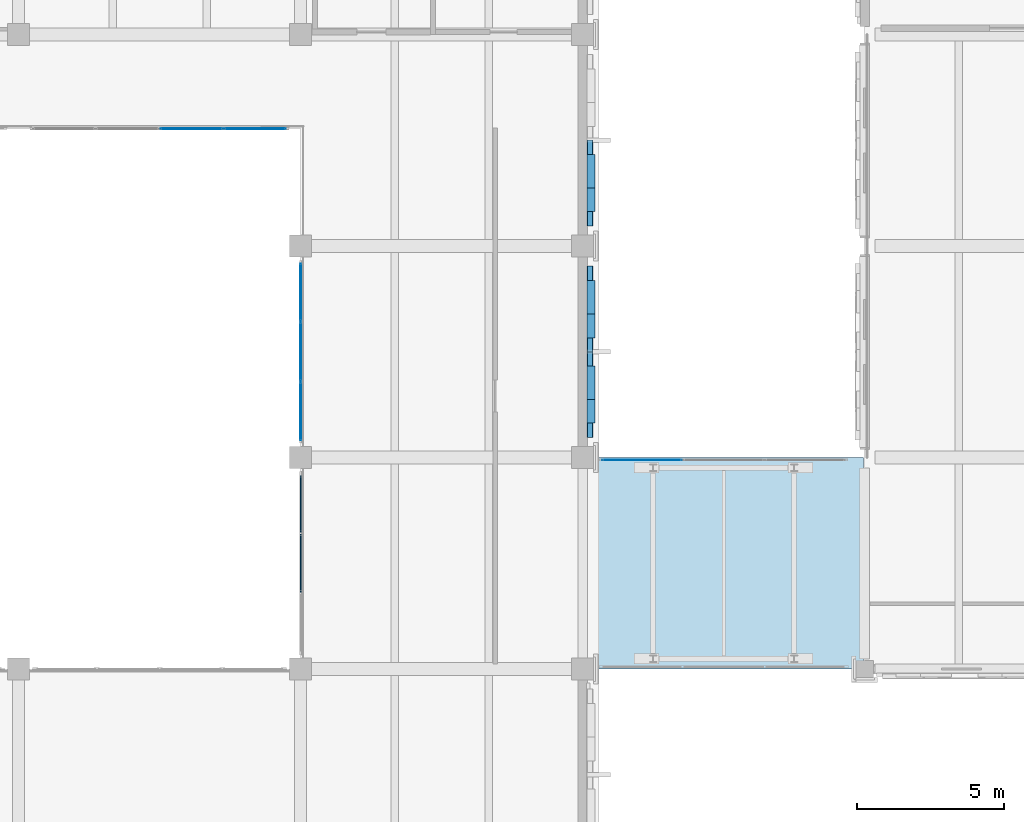
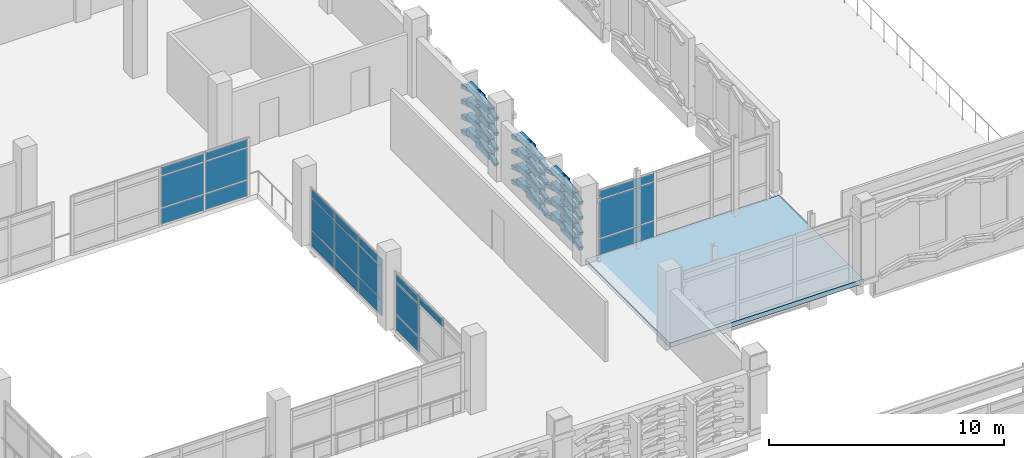
# One storey, part 139 of 180: 70 plates, 1 slab, 4 elements without a shape of their own.
"""IFC4 building model written with IfcOpenShell, lengths in metres."""

from ifc_helpers import new_model, si_unit, direction, frame, origin, origin_2d, place, context, subcontext, project, spatial, polyline, rectangle, hollow_rectangle, outline, extrude, material, layer, layer_set, material_profile, profile_set, type_object, element, aggregate, save


model = new_model("IFC4")

# Units and contexts
model_context = context("Model", 3, precision=1e-05, world=origin(), true_north=direction((0.0, 1.0)))
body_context = subcontext(model_context, "Body", "Model", "MODEL_VIEW")
ifc_project = project(units=[si_unit("LENGTHUNIT", "METRE"), si_unit("AREAUNIT", "SQUARE_METRE"), si_unit("VOLUMEUNIT", "CUBIC_METRE"), si_unit("PLANEANGLEUNIT", "RADIAN"), si_unit("MASSUNIT", "GRAM", prefix="KILO")], contexts=[model_context])

# Site, building, storey
site_placement = place(None, origin())
site = spatial("IfcSite", under=ifc_project, at=site_placement, CompositionType="ELEMENT")
building_placement = place(site_placement, origin())
building = spatial("IfcBuilding", under=site, at=building_placement, Name="Asteropetra Specialist Clinic", CompositionType="ELEMENT")
storey_placement = place(building_placement, frame((0.0, 0.0, 4.419921875)))
storey = spatial("IfcBuildingStorey", under=building, at=storey_placement, Name="L01", CompositionType="ELEMENT", Elevation=4.419921875)

# Plates
ifc_material_1 = material(Name="Chevron emerald aluminium 6063-T6", Category="aluminium")
ifc_material_profile = material_profile(ifc_material_1, hollow_rectangle(XDim=0.199951171875, YDim=0.199951171875, WallThickness=0.010009765625, InnerFilletRadius=0.008056640625, OuterFilletRadius=0.01611328125, at=origin_2d()), Name="SHS 200x200x10.0")
ifc_profile_set = profile_set([ifc_material_profile], Name="Chevron emerald aluminium 6063-T6")
plate_type_1 = type_object("IfcPlateType", Name="CHV-RIB-200", PredefinedType="SHEET", material=ifc_profile_set)
plate_1_placement = place(storey_placement, frame((77.052001953125, 84.715087890625, 0.050048828125), z_axis=(0.0, 0.952491984317, 0.304563654777), x_axis=(-1.0, 0.0, 0.0)))
element("IfcPlate", 1, at=plate_1_placement, inside=storey, type_object=plate_type_1, Name="Chevron Facade Screen Fin CVR-0731", PredefinedType="SHEET", context=body_context, shape_type="SweptSolid", body=[
    extrude(hollow_rectangle(XDim=0.199951171875, YDim=0.199951171875, WallThickness=0.010009765625, InnerFilletRadius=0.008056640625, OuterFilletRadius=0.01611328125, at=origin_2d()), origin(), (0.0, 0.0, 1.0), 1.50390625),
])
plate_2_placement = place(storey_placement, frame((77.052001953125, 86.1474609375, 0.508056640625), z_axis=(0.0, 0.952507040007, -0.304516565619), x_axis=(-1.0, 0.0, 0.0)))
element("IfcPlate", 2, at=plate_2_placement, inside=storey, type_object=plate_type_1, Name="Chevron Facade Screen Fin CVR-0732", PredefinedType="SHEET", context=body_context, shape_type="SweptSolid", body=[
    extrude(hollow_rectangle(XDim=0.199951171875, YDim=0.199951171875, WallThickness=0.010009765625, InnerFilletRadius=0.008056640625, OuterFilletRadius=0.01611328125, at=origin_2d()), origin(), (0.0, 0.0, 1.0), 1.504150390625),
])
plate_3_placement = place(storey_placement, frame((77.052001953125, 84.715087890625, 0.820068359375), z_axis=(0.0, 0.952491984317, 0.304563654777), x_axis=(-1.0, 0.0, 0.0)))
element("IfcPlate", 3, at=plate_3_placement, inside=storey, type_object=plate_type_1, Name="Chevron Facade Screen Fin CVR-0733", PredefinedType="SHEET", context=body_context, shape_type="SweptSolid", body=[
    extrude(hollow_rectangle(XDim=0.199951171875, YDim=0.199951171875, WallThickness=0.010009765625, InnerFilletRadius=0.008056640625, OuterFilletRadius=0.01611328125, at=origin_2d()), origin(), (0.0, 0.0, 1.0), 1.50390625),
])
plate_4_placement = place(storey_placement, frame((77.052001953125, 86.1474609375, 1.278076171875), z_axis=(0.0, 0.952507040007, -0.304516565619), x_axis=(-1.0, 0.0, 0.0)))
element("IfcPlate", 4, at=plate_4_placement, inside=storey, type_object=plate_type_1, Name="Chevron Facade Screen Fin CVR-0734", PredefinedType="SHEET", context=body_context, shape_type="SweptSolid", body=[
    extrude(hollow_rectangle(XDim=0.199951171875, YDim=0.199951171875, WallThickness=0.010009765625, InnerFilletRadius=0.008056640625, OuterFilletRadius=0.01611328125, at=origin_2d()), origin(), (0.0, 0.0, 1.0), 1.504150390625),
])
plate_5_placement = place(storey_placement, frame((77.052001953125, 84.715087890625, 1.6201171875), z_axis=(0.0, 0.952491984317, 0.304563654777), x_axis=(-1.0, 0.0, 0.0)))
element("IfcPlate", 5, at=plate_5_placement, inside=storey, type_object=plate_type_1, Name="Chevron Facade Screen Fin CVR-0735", PredefinedType="SHEET", context=body_context, shape_type="SweptSolid", body=[
    extrude(hollow_rectangle(XDim=0.199951171875, YDim=0.199951171875, WallThickness=0.010009765625, InnerFilletRadius=0.008056640625, OuterFilletRadius=0.01611328125, at=origin_2d()), origin(), (0.0, 0.0, 1.0), 1.50390625),
])
plate_6_placement = place(storey_placement, frame((77.052001953125, 86.1474609375, 2.078125), z_axis=(0.0, 0.952507040007, -0.304516565619), x_axis=(-1.0, 0.0, 0.0)))
element("IfcPlate", 6, at=plate_6_placement, inside=storey, type_object=plate_type_1, Name="Chevron Facade Screen Fin CVR-0736", PredefinedType="SHEET", context=body_context, shape_type="SweptSolid", body=[
    extrude(hollow_rectangle(XDim=0.199951171875, YDim=0.199951171875, WallThickness=0.010009765625, InnerFilletRadius=0.008056640625, OuterFilletRadius=0.01611328125, at=origin_2d()), origin(), (0.0, 0.0, 1.0), 1.504150390625),
])
plate_7_placement = place(storey_placement, frame((77.052001953125, 84.715087890625, 2.400146484375), z_axis=(0.0, 0.952491984317, 0.304563654777), x_axis=(-1.0, 0.0, 0.0)))
element("IfcPlate", 7, at=plate_7_placement, inside=storey, type_object=plate_type_1, Name="Chevron Facade Screen Fin CVR-0737", PredefinedType="SHEET", context=body_context, shape_type="SweptSolid", body=[
    extrude(hollow_rectangle(XDim=0.199951171875, YDim=0.199951171875, WallThickness=0.010009765625, InnerFilletRadius=0.008056640625, OuterFilletRadius=0.01611328125, at=origin_2d()), origin(), (0.0, 0.0, 1.0), 1.50390625),
])
plate_8_placement = place(storey_placement, frame((77.052001953125, 86.1474609375, 2.858154296875), z_axis=(0.0, 0.952507040007, -0.304516565619), x_axis=(-1.0, 0.0, 0.0)))
element("IfcPlate", 8, at=plate_8_placement, inside=storey, type_object=plate_type_1, Name="Chevron Facade Screen Fin CVR-0738", PredefinedType="SHEET", context=body_context, shape_type="SweptSolid", body=[
    extrude(hollow_rectangle(XDim=0.199951171875, YDim=0.199951171875, WallThickness=0.010009765625, InnerFilletRadius=0.008056640625, OuterFilletRadius=0.01611328125, at=origin_2d()), origin(), (0.0, 0.0, 1.0), 1.504150390625),
])
plate_9_placement = place(storey_placement, frame((77.052001953125, 87.6201171875, 0.050048828125), z_axis=(0.0, 0.952491984317, 0.304563654777), x_axis=(-1.0, 0.0, 0.0)))
element("IfcPlate", 9, at=plate_9_placement, inside=storey, type_object=plate_type_1, Name="Chevron Facade Screen Fin CVR-0739", PredefinedType="SHEET", context=body_context, shape_type="SweptSolid", body=[
    extrude(hollow_rectangle(XDim=0.199951171875, YDim=0.199951171875, WallThickness=0.010009765625, InnerFilletRadius=0.008056640625, OuterFilletRadius=0.01611328125, at=origin_2d()), origin(), (0.0, 0.0, 1.0), 1.50390625),
])
plate_10_placement = place(storey_placement, frame((77.052001953125, 89.052490234375, 0.508056640625), z_axis=(0.0, 0.952507040007, -0.304516565619), x_axis=(-1.0, 0.0, 0.0)))
element("IfcPlate", 10, at=plate_10_placement, inside=storey, type_object=plate_type_1, Name="Chevron Facade Screen Fin CVR-0740", PredefinedType="SHEET", context=body_context, shape_type="SweptSolid", body=[
    extrude(hollow_rectangle(XDim=0.199951171875, YDim=0.199951171875, WallThickness=0.010009765625, InnerFilletRadius=0.008056640625, OuterFilletRadius=0.01611328125, at=origin_2d()), origin(), (0.0, 0.0, 1.0), 1.504150390625),
])
plate_11_placement = place(storey_placement, frame((77.052001953125, 87.6201171875, 0.820068359375), z_axis=(0.0, 0.952491984317, 0.304563654777), x_axis=(-1.0, 0.0, 0.0)))
element("IfcPlate", 11, at=plate_11_placement, inside=storey, type_object=plate_type_1, Name="Chevron Facade Screen Fin CVR-0741", PredefinedType="SHEET", context=body_context, shape_type="SweptSolid", body=[
    extrude(hollow_rectangle(XDim=0.199951171875, YDim=0.199951171875, WallThickness=0.010009765625, InnerFilletRadius=0.008056640625, OuterFilletRadius=0.01611328125, at=origin_2d()), origin(), (0.0, 0.0, 1.0), 1.50390625),
])
plate_12_placement = place(storey_placement, frame((77.052001953125, 89.052490234375, 1.278076171875), z_axis=(0.0, 0.952507040007, -0.304516565619), x_axis=(-1.0, 0.0, 0.0)))
element("IfcPlate", 12, at=plate_12_placement, inside=storey, type_object=plate_type_1, Name="Chevron Facade Screen Fin CVR-0742", PredefinedType="SHEET", context=body_context, shape_type="SweptSolid", body=[
    extrude(hollow_rectangle(XDim=0.199951171875, YDim=0.199951171875, WallThickness=0.010009765625, InnerFilletRadius=0.008056640625, OuterFilletRadius=0.01611328125, at=origin_2d()), origin(), (0.0, 0.0, 1.0), 1.504150390625),
])
plate_13_placement = place(storey_placement, frame((77.052001953125, 87.6201171875, 1.6201171875), z_axis=(0.0, 0.952491984317, 0.304563654777), x_axis=(-1.0, 0.0, 0.0)))
element("IfcPlate", 13, at=plate_13_placement, inside=storey, type_object=plate_type_1, Name="Chevron Facade Screen Fin CVR-0743", PredefinedType="SHEET", context=body_context, shape_type="SweptSolid", body=[
    extrude(hollow_rectangle(XDim=0.199951171875, YDim=0.199951171875, WallThickness=0.010009765625, InnerFilletRadius=0.008056640625, OuterFilletRadius=0.01611328125, at=origin_2d()), origin(), (0.0, 0.0, 1.0), 1.50390625),
])
plate_14_placement = place(storey_placement, frame((77.052001953125, 89.052490234375, 2.078125), z_axis=(0.0, 0.952507040007, -0.304516565619), x_axis=(-1.0, 0.0, 0.0)))
element("IfcPlate", 14, at=plate_14_placement, inside=storey, type_object=plate_type_1, Name="Chevron Facade Screen Fin CVR-0744", PredefinedType="SHEET", context=body_context, shape_type="SweptSolid", body=[
    extrude(hollow_rectangle(XDim=0.199951171875, YDim=0.199951171875, WallThickness=0.010009765625, InnerFilletRadius=0.008056640625, OuterFilletRadius=0.01611328125, at=origin_2d()), origin(), (0.0, 0.0, 1.0), 1.504150390625),
])
plate_15_placement = place(storey_placement, frame((77.052001953125, 87.6201171875, 2.400146484375), z_axis=(0.0, 0.952491984317, 0.304563654777), x_axis=(-1.0, 0.0, 0.0)))
element("IfcPlate", 15, at=plate_15_placement, inside=storey, type_object=plate_type_1, Name="Chevron Facade Screen Fin CVR-0745", PredefinedType="SHEET", context=body_context, shape_type="SweptSolid", body=[
    extrude(hollow_rectangle(XDim=0.199951171875, YDim=0.199951171875, WallThickness=0.010009765625, InnerFilletRadius=0.008056640625, OuterFilletRadius=0.01611328125, at=origin_2d()), origin(), (0.0, 0.0, 1.0), 1.50390625),
])
plate_16_placement = place(storey_placement, frame((77.052001953125, 89.052490234375, 2.858154296875), z_axis=(0.0, 0.952507040007, -0.304516565619), x_axis=(-1.0, 0.0, 0.0)))
element("IfcPlate", 16, at=plate_16_placement, inside=storey, type_object=plate_type_1, Name="Chevron Facade Screen Fin CVR-0746", PredefinedType="SHEET", context=body_context, shape_type="SweptSolid", body=[
    extrude(hollow_rectangle(XDim=0.199951171875, YDim=0.199951171875, WallThickness=0.010009765625, InnerFilletRadius=0.008056640625, OuterFilletRadius=0.01611328125, at=origin_2d()), origin(), (0.0, 0.0, 1.0), 1.504150390625),
])
plate_17_placement = place(storey_placement, frame((77.052001953125, 91.9150390625, 0.050048828125), z_axis=(0.0, 0.952491984317, 0.304563654777), x_axis=(-1.0, 0.0, 0.0)))
element("IfcPlate", 17, at=plate_17_placement, inside=storey, type_object=plate_type_1, Name="Chevron Facade Screen Fin CVR-0763", PredefinedType="SHEET", context=body_context, shape_type="SweptSolid", body=[
    extrude(hollow_rectangle(XDim=0.199951171875, YDim=0.199951171875, WallThickness=0.010009765625, InnerFilletRadius=0.008056640625, OuterFilletRadius=0.01611328125, at=origin_2d()), origin(), (0.0, 0.0, 1.0), 1.50390625),
])
plate_18_placement = place(storey_placement, frame((77.052001953125, 93.347412109375, 0.508056640625), z_axis=(0.0, 0.952507040007, -0.304516565619), x_axis=(-1.0, 0.0, 0.0)))
element("IfcPlate", 18, at=plate_18_placement, inside=storey, type_object=plate_type_1, Name="Chevron Facade Screen Fin CVR-0764", PredefinedType="SHEET", context=body_context, shape_type="SweptSolid", body=[
    extrude(hollow_rectangle(XDim=0.199951171875, YDim=0.199951171875, WallThickness=0.010009765625, InnerFilletRadius=0.008056640625, OuterFilletRadius=0.01611328125, at=origin_2d()), origin(), (0.0, 0.0, 1.0), 1.504150390625),
])
plate_19_placement = place(storey_placement, frame((77.052001953125, 91.9150390625, 0.820068359375), z_axis=(0.0, 0.952491984317, 0.304563654777), x_axis=(-1.0, 0.0, 0.0)))
element("IfcPlate", 19, at=plate_19_placement, inside=storey, type_object=plate_type_1, Name="Chevron Facade Screen Fin CVR-0765", PredefinedType="SHEET", context=body_context, shape_type="SweptSolid", body=[
    extrude(hollow_rectangle(XDim=0.199951171875, YDim=0.199951171875, WallThickness=0.010009765625, InnerFilletRadius=0.008056640625, OuterFilletRadius=0.01611328125, at=origin_2d()), origin(), (0.0, 0.0, 1.0), 1.50390625),
])
plate_20_placement = place(storey_placement, frame((77.052001953125, 93.347412109375, 1.278076171875), z_axis=(0.0, 0.952507040007, -0.304516565619), x_axis=(-1.0, 0.0, 0.0)))
element("IfcPlate", 20, at=plate_20_placement, inside=storey, type_object=plate_type_1, Name="Chevron Facade Screen Fin CVR-0766", PredefinedType="SHEET", context=body_context, shape_type="SweptSolid", body=[
    extrude(hollow_rectangle(XDim=0.199951171875, YDim=0.199951171875, WallThickness=0.010009765625, InnerFilletRadius=0.008056640625, OuterFilletRadius=0.01611328125, at=origin_2d()), origin(), (0.0, 0.0, 1.0), 1.504150390625),
])
plate_21_placement = place(storey_placement, frame((77.052001953125, 91.9150390625, 1.6201171875), z_axis=(0.0, 0.952491984317, 0.304563654777), x_axis=(-1.0, 0.0, 0.0)))
element("IfcPlate", 21, at=plate_21_placement, inside=storey, type_object=plate_type_1, Name="Chevron Facade Screen Fin CVR-0767", PredefinedType="SHEET", context=body_context, shape_type="SweptSolid", body=[
    extrude(hollow_rectangle(XDim=0.199951171875, YDim=0.199951171875, WallThickness=0.010009765625, InnerFilletRadius=0.008056640625, OuterFilletRadius=0.01611328125, at=origin_2d()), origin(), (0.0, 0.0, 1.0), 1.50390625),
])
plate_22_placement = place(storey_placement, frame((77.052001953125, 93.347412109375, 2.078125), z_axis=(0.0, 0.952507040007, -0.304516565619), x_axis=(-1.0, 0.0, 0.0)))
element("IfcPlate", 22, at=plate_22_placement, inside=storey, type_object=plate_type_1, Name="Chevron Facade Screen Fin CVR-0768", PredefinedType="SHEET", context=body_context, shape_type="SweptSolid", body=[
    extrude(hollow_rectangle(XDim=0.199951171875, YDim=0.199951171875, WallThickness=0.010009765625, InnerFilletRadius=0.008056640625, OuterFilletRadius=0.01611328125, at=origin_2d()), origin(), (0.0, 0.0, 1.0), 1.504150390625),
])
plate_23_placement = place(storey_placement, frame((77.052001953125, 91.9150390625, 2.400146484375), z_axis=(0.0, 0.952491984317, 0.304563654777), x_axis=(-1.0, 0.0, 0.0)))
element("IfcPlate", 23, at=plate_23_placement, inside=storey, type_object=plate_type_1, Name="Chevron Facade Screen Fin CVR-0769", PredefinedType="SHEET", context=body_context, shape_type="SweptSolid", body=[
    extrude(hollow_rectangle(XDim=0.199951171875, YDim=0.199951171875, WallThickness=0.010009765625, InnerFilletRadius=0.008056640625, OuterFilletRadius=0.01611328125, at=origin_2d()), origin(), (0.0, 0.0, 1.0), 1.50390625),
])
plate_24_placement = place(storey_placement, frame((77.052001953125, 93.347412109375, 2.858154296875), z_axis=(0.0, 0.952507040007, -0.304516565619), x_axis=(-1.0, 0.0, 0.0)))
element("IfcPlate", 24, at=plate_24_placement, inside=storey, type_object=plate_type_1, Name="Chevron Facade Screen Fin CVR-0770", PredefinedType="SHEET", context=body_context, shape_type="SweptSolid", body=[
    extrude(hollow_rectangle(XDim=0.199951171875, YDim=0.199951171875, WallThickness=0.010009765625, InnerFilletRadius=0.008056640625, OuterFilletRadius=0.01611328125, at=origin_2d()), origin(), (0.0, 0.0, 1.0), 1.504150390625),
])

# Curtain wall, plates
ifc_material_2 = material(Name="Aluminium and low-E glass", Category="aluminium")
ifc_layer_1 = layer(ifc_material_2, 0.14990234375)
ifc_layer_set_1 = layer_set([ifc_layer_1], Name="Aluminium and low-E glass")
curtain_wall_type_1 = type_object("IfcCurtainWallType", Name="CW-SYS-05", PredefinedType="USERDEFINED", material=ifc_layer_set_1)
curtain_wall_1_placement = place(storey_placement, origin())
curtain_wall_1 = element("IfcCurtainWall", 25, at=curtain_wall_1_placement, inside=storey, type_object=curtain_wall_type_1, Name="Curtain Wall CW-028", ObjectType="UNITISED CURTAIN WALL", PredefinedType="USERDEFINED")
ifc_material_3 = material(Name="Low-E double glazing", Category="glass")
ifc_layer_2 = layer(ifc_material_3, 0.028076171875)
ifc_layer_set_2 = layer_set([ifc_layer_2], Name="Low-E double glazing")
plate_type_2 = type_object("IfcPlateType", Name="CWP-GLZ-28", PredefinedType="CURTAIN_PANEL", material=ifc_layer_set_2)
plate_25_placement = place(storey_placement, frame((65.65380859375, 95.199951171875, 0.06494140625), z_axis=(0.0, 0.0, 1.0), x_axis=(-1.0, 0.0, 0.0)))
plate_25 = element("IfcPlate", 26, at=plate_25_placement, type_object=plate_type_2, Name="CW-028 panel 1.1", PredefinedType="CURTAIN_PANEL", context=body_context, shape_type="SweptSolid", body=[
    extrude(rectangle(XDim=2.08251953125, YDim=0.028076171875, at=origin_2d()), origin(), (0.0, 0.0, 1.0), 0.802490234375),
])
plate_26_placement = place(storey_placement, frame((65.65380859375, 95.199951171875, 0.9326171875), z_axis=(0.0, 0.0, 1.0), x_axis=(-1.0, 0.0, 0.0)))
plate_26 = element("IfcPlate", 27, at=plate_26_placement, type_object=plate_type_2, Name="CW-028 panel 1.2", PredefinedType="CURTAIN_PANEL", context=body_context, shape_type="SweptSolid", body=[
    extrude(rectangle(XDim=2.08251953125, YDim=0.028076171875, at=origin_2d()), origin(), (0.0, 0.0, 1.0), 1.614990234375),
])
plate_27_placement = place(storey_placement, frame((65.65380859375, 95.199951171875, 2.6123046875), z_axis=(0.0, 0.0, 1.0), x_axis=(-1.0, 0.0, 0.0)))
plate_27 = element("IfcPlate", 28, at=plate_27_placement, type_object=plate_type_2, Name="CW-028 panel 1.3", PredefinedType="CURTAIN_PANEL", context=body_context, shape_type="SweptSolid", body=[
    extrude(rectangle(XDim=2.08251953125, YDim=0.028076171875, at=origin_2d()), origin(), (0.0, 0.0, 1.0), 0.402587890625),
])
plate_28_placement = place(storey_placement, frame((63.489990234375, 95.199951171875, 0.06494140625), z_axis=(0.0, 0.0, 1.0), x_axis=(-1.0, 0.0, 0.0)))
plate_28 = element("IfcPlate", 29, at=plate_28_placement, type_object=plate_type_2, Name="CW-028 panel 2.1", PredefinedType="CURTAIN_PANEL", context=body_context, shape_type="SweptSolid", body=[
    extrude(rectangle(XDim=2.114990234375, YDim=0.028076171875, at=origin_2d()), origin(), (0.0, 0.0, 1.0), 0.802490234375),
])
plate_29_placement = place(storey_placement, frame((63.489990234375, 95.199951171875, 0.9326171875), z_axis=(0.0, 0.0, 1.0), x_axis=(-1.0, 0.0, 0.0)))
plate_29 = element("IfcPlate", 30, at=plate_29_placement, type_object=plate_type_2, Name="CW-028 panel 2.2", PredefinedType="CURTAIN_PANEL", context=body_context, shape_type="SweptSolid", body=[
    extrude(rectangle(XDim=2.114990234375, YDim=0.028076171875, at=origin_2d()), origin(), (0.0, 0.0, 1.0), 1.614990234375),
])
plate_30_placement = place(storey_placement, frame((63.489990234375, 95.199951171875, 2.6123046875), z_axis=(0.0, 0.0, 1.0), x_axis=(-1.0, 0.0, 0.0)))
plate_30 = element("IfcPlate", 31, at=plate_30_placement, type_object=plate_type_2, Name="CW-028 panel 2.3", PredefinedType="CURTAIN_PANEL", context=body_context, shape_type="SweptSolid", body=[
    extrude(rectangle(XDim=2.114990234375, YDim=0.028076171875, at=origin_2d()), origin(), (0.0, 0.0, 1.0), 0.402587890625),
])
aggregate(curtain_wall_1, [plate_25, plate_26, plate_27, plate_28, plate_29, plate_30])

ifc_material_4 = material(Name="Aluminium and low-E glass", Category="aluminium")
ifc_layer_3 = layer(ifc_material_4, 0.179931640625)
ifc_layer_set_3 = layer_set([ifc_layer_3], Name="Aluminium and low-E glass")
curtain_wall_type_2 = type_object("IfcCurtainWallType", Name="CW-SYS-07", PredefinedType="USERDEFINED", material=ifc_layer_set_3)
curtain_wall_2_placement = place(storey_placement, origin())
curtain_wall_2 = element("IfcCurtainWall", 32, at=curtain_wall_2_placement, inside=storey, type_object=curtain_wall_type_2, Name="Curtain Wall CW-032", ObjectType="STICK GLAZED COLONNADE", PredefinedType="USERDEFINED")
plate_31_placement = place(storey_placement, frame((67.199951171875, 85.57177734375, 0.06005859375), z_axis=(0.0, 0.0, 1.0), x_axis=(0.0, 1.0, 0.0)))
plate_31 = element("IfcPlate", 33, at=plate_31_placement, type_object=plate_type_2, Name="CW-032 panel 1.1", PredefinedType="CURTAIN_PANEL", context=body_context, shape_type="SweptSolid", body=[
    extrude(rectangle(XDim=1.953369140625, YDim=0.028076171875, at=origin_2d()), origin(), (0.0, 0.0, 1.0), 0.81005859375),
])
plate_32_placement = place(storey_placement, frame((67.199951171875, 85.57177734375, 0.929931640625), z_axis=(0.0, 0.0, 1.0), x_axis=(0.0, 1.0, 0.0)))
plate_32 = element("IfcPlate", 34, at=plate_32_placement, type_object=plate_type_2, Name="CW-032 panel 1.2", PredefinedType="CURTAIN_PANEL", context=body_context, shape_type="SweptSolid", body=[
    extrude(rectangle(XDim=1.953369140625, YDim=0.028076171875, at=origin_2d()), origin(), (0.0, 0.0, 1.0), 1.6201171875),
])
plate_33_placement = place(storey_placement, frame((67.199951171875, 85.57177734375, 2.6103515625), z_axis=(0.0, 0.0, 1.0), x_axis=(0.0, 1.0, 0.0)))
plate_33 = element("IfcPlate", 35, at=plate_33_placement, type_object=plate_type_2, Name="CW-032 panel 1.3", PredefinedType="CURTAIN_PANEL", context=body_context, shape_type="SweptSolid", body=[
    extrude(rectangle(XDim=1.953369140625, YDim=0.028076171875, at=origin_2d()), origin(), (0.0, 0.0, 1.0), 0.409912109375),
])
plate_34_placement = place(storey_placement, frame((67.199951171875, 87.60009765625, 0.06005859375), z_axis=(0.0, 0.0, 1.0), x_axis=(0.0, 1.0, 0.0)))
plate_34 = element("IfcPlate", 36, at=plate_34_placement, type_object=plate_type_2, Name="CW-032 panel 2.1", PredefinedType="CURTAIN_PANEL", context=body_context, shape_type="SweptSolid", body=[
    extrude(rectangle(XDim=1.9833984375, YDim=0.028076171875, at=origin_2d()), origin(), (0.0, 0.0, 1.0), 0.81005859375),
])
plate_35_placement = place(storey_placement, frame((67.199951171875, 87.60009765625, 0.929931640625), z_axis=(0.0, 0.0, 1.0), x_axis=(0.0, 1.0, 0.0)))
plate_35 = element("IfcPlate", 37, at=plate_35_placement, type_object=plate_type_2, Name="CW-032 panel 2.2", PredefinedType="CURTAIN_PANEL", context=body_context, shape_type="SweptSolid", body=[
    extrude(rectangle(XDim=1.9833984375, YDim=0.028076171875, at=origin_2d()), origin(), (0.0, 0.0, 1.0), 1.6201171875),
])
plate_36_placement = place(storey_placement, frame((67.199951171875, 87.60009765625, 2.6103515625), z_axis=(0.0, 0.0, 1.0), x_axis=(0.0, 1.0, 0.0)))
plate_36 = element("IfcPlate", 38, at=plate_36_placement, type_object=plate_type_2, Name="CW-032 panel 2.3", PredefinedType="CURTAIN_PANEL", context=body_context, shape_type="SweptSolid", body=[
    extrude(rectangle(XDim=1.9833984375, YDim=0.028076171875, at=origin_2d()), origin(), (0.0, 0.0, 1.0), 0.409912109375),
])
plate_37_placement = place(storey_placement, frame((67.199951171875, 89.62841796875, 0.06005859375), z_axis=(0.0, 0.0, 1.0), x_axis=(0.0, 1.0, 0.0)))
plate_37 = element("IfcPlate", 39, at=plate_37_placement, type_object=plate_type_2, Name="CW-032 panel 3.1", PredefinedType="CURTAIN_PANEL", context=body_context, shape_type="SweptSolid", body=[
    extrude(rectangle(XDim=1.953369140625, YDim=0.028076171875, at=origin_2d()), origin(), (0.0, 0.0, 1.0), 0.81005859375),
])
plate_38_placement = place(storey_placement, frame((67.199951171875, 89.62841796875, 0.929931640625), z_axis=(0.0, 0.0, 1.0), x_axis=(0.0, 1.0, 0.0)))
plate_38 = element("IfcPlate", 40, at=plate_38_placement, type_object=plate_type_2, Name="CW-032 panel 3.2", PredefinedType="CURTAIN_PANEL", context=body_context, shape_type="SweptSolid", body=[
    extrude(rectangle(XDim=1.953369140625, YDim=0.028076171875, at=origin_2d()), origin(), (0.0, 0.0, 1.0), 1.6201171875),
])
plate_39_placement = place(storey_placement, frame((67.199951171875, 89.62841796875, 2.6103515625), z_axis=(0.0, 0.0, 1.0), x_axis=(0.0, 1.0, 0.0)))
plate_39 = element("IfcPlate", 41, at=plate_39_placement, type_object=plate_type_2, Name="CW-032 panel 3.3", PredefinedType="CURTAIN_PANEL", context=body_context, shape_type="SweptSolid", body=[
    extrude(rectangle(XDim=1.953369140625, YDim=0.028076171875, at=origin_2d()), origin(), (0.0, 0.0, 1.0), 0.409912109375),
])
aggregate(curtain_wall_2, [plate_31, plate_32, plate_33, plate_34, plate_35, plate_36, plate_37, plate_38, plate_39])

ifc_material_5 = material(Name="Aluminium and low-E glass", Category="aluminium")
ifc_layer_4 = layer(ifc_material_5, 0.14990234375)
ifc_layer_set_4 = layer_set([ifc_layer_4], Name="Aluminium and low-E glass")
curtain_wall_type_3 = type_object("IfcCurtainWallType", Name="CW-SYS-02", PredefinedType="USERDEFINED", material=ifc_layer_set_4)
curtain_wall_3_placement = place(storey_placement, origin())
curtain_wall_3 = element("IfcCurtainWall", 42, at=curtain_wall_3_placement, inside=storey, type_object=curtain_wall_type_3, Name="Curtain Wall CW-112", ObjectType="UNITISED CURTAIN WALL", PredefinedType="USERDEFINED")
plate_40_placement = place(storey_placement, frame((78.822998046875, 83.919921875, 0.06494140625), z_axis=(0.0, 0.0, 1.0), x_axis=(-1.0, 0.0, 0.0)))
plate_40 = element("IfcPlate", 43, at=plate_40_placement, type_object=plate_type_2, Name="CW-112 panel 3.1", PredefinedType="CURTAIN_PANEL", context=body_context, shape_type="SweptSolid", body=[
    extrude(rectangle(XDim=2.69580078125, YDim=0.028076171875, at=origin_2d()), origin(), (0.0, 0.0, 1.0), 0.802490234375),
])
plate_41_placement = place(storey_placement, frame((78.822998046875, 83.919921875, 0.9326171875), z_axis=(0.0, 0.0, 1.0), x_axis=(-1.0, 0.0, 0.0)))
plate_41 = element("IfcPlate", 44, at=plate_41_placement, type_object=plate_type_2, Name="CW-112 panel 3.2", PredefinedType="CURTAIN_PANEL", context=body_context, shape_type="SweptSolid", body=[
    extrude(rectangle(XDim=2.69580078125, YDim=0.028076171875, at=origin_2d()), origin(), (0.0, 0.0, 1.0), 1.965087890625),
])
plate_42_placement = place(storey_placement, frame((78.822998046875, 83.919921875, 2.96240234375), z_axis=(0.0, 0.0, 1.0), x_axis=(-1.0, 0.0, 0.0)))
plate_42 = element("IfcPlate", 45, at=plate_42_placement, type_object=plate_type_2, Name="CW-112 panel 3.3", PredefinedType="CURTAIN_PANEL", context=body_context, shape_type="SweptSolid", body=[
    extrude(rectangle(XDim=2.69580078125, YDim=0.028076171875, at=origin_2d()), origin(), (0.0, 0.0, 1.0), 0.402587890625),
])
aggregate(curtain_wall_3, [plate_40, plate_41, plate_42])

ifc_material_6 = material(Name="Aluminium and low-E glass", Category="aluminium")
ifc_layer_5 = layer(ifc_material_6, 0.135009765625)
ifc_layer_set_5 = layer_set([ifc_layer_5], Name="Aluminium and low-E glass")
curtain_wall_type_4 = type_object("IfcCurtainWallType", Name="CW-SYS-06", PredefinedType="USERDEFINED", material=ifc_layer_set_5)
curtain_wall_4_placement = place(storey_placement, origin())
curtain_wall_4 = element("IfcCurtainWall", 46, at=curtain_wall_4_placement, inside=storey, type_object=curtain_wall_type_4, Name="Curtain Wall CW-030", ObjectType="UNITISED CURTAIN WALL", PredefinedType="USERDEFINED")
ifc_material_7 = material(Name="Solar-control triple glazing", Category="glass")
ifc_layer_6 = layer(ifc_material_7, 0.035888671875)
ifc_layer_set_6 = layer_set([ifc_layer_6], Name="Solar-control triple glazing")
plate_type_3 = type_object("IfcPlateType", Name="CWP-GLZ-36", PredefinedType="CURTAIN_PANEL", material=ifc_layer_set_6)
plate_43_placement = place(storey_placement, frame((67.199951171875, 80.39990234375, 2.61767578125), z_axis=(0.0, 0.0, 1.0), x_axis=(0.0, 1.0, 0.0)))
plate_43 = element("IfcPlate", 47, at=plate_43_placement, type_object=plate_type_3, Name="CW-030 panel 2.3", PredefinedType="CURTAIN_PANEL", context=body_context, shape_type="SweptSolid", body=[
    extrude(rectangle(XDim=1.96826171875, YDim=0.035888671875, at=origin_2d()), origin(), (0.0, 0.0, 1.0), 0.387451171875),
])
plate_44_placement = place(storey_placement, frame((67.199951171875, 82.424560546875, 0.074951171875), z_axis=(0.0, 0.0, 1.0), x_axis=(0.0, 1.0, 0.0)))
plate_44 = element("IfcPlate", 48, at=plate_44_placement, type_object=plate_type_3, Name="CW-030 panel 3.1", PredefinedType="CURTAIN_PANEL", context=body_context, shape_type="SweptSolid", body=[
    extrude(rectangle(XDim=1.930908203125, YDim=0.035888671875, at=origin_2d()), origin(), (0.0, 0.0, 1.0), 0.78759765625),
])
plate_45_placement = place(storey_placement, frame((67.199951171875, 82.424560546875, 0.9375), z_axis=(0.0, 0.0, 1.0), x_axis=(0.0, 1.0, 0.0)))
plate_45 = element("IfcPlate", 49, at=plate_45_placement, type_object=plate_type_3, Name="CW-030 panel 3.2", PredefinedType="CURTAIN_PANEL", context=body_context, shape_type="SweptSolid", body=[
    extrude(rectangle(XDim=1.930908203125, YDim=0.035888671875, at=origin_2d()), origin(), (0.0, 0.0, 1.0), 1.60498046875),
])
plate_46_placement = place(storey_placement, frame((67.199951171875, 82.424560546875, 2.61767578125), z_axis=(0.0, 0.0, 1.0), x_axis=(0.0, 1.0, 0.0)))
plate_46 = element("IfcPlate", 50, at=plate_46_placement, type_object=plate_type_3, Name="CW-030 panel 3.3", PredefinedType="CURTAIN_PANEL", context=body_context, shape_type="SweptSolid", body=[
    extrude(rectangle(XDim=1.930908203125, YDim=0.035888671875, at=origin_2d()), origin(), (0.0, 0.0, 1.0), 0.387451171875),
])
aggregate(curtain_wall_4, [plate_43, plate_44, plate_45, plate_46])

# Plates
ifc_material_8 = material(Name="Aluminium 6063-T6", Category="aluminium")
ifc_layer_7 = layer(ifc_material_8, 0.139892578125)
ifc_layer_set_7 = layer_set([ifc_layer_7], Name="Aluminium 6063-T6")
plate_type_4 = type_object("IfcPlateType", Name="PLT-CHV-TILE", PredefinedType="SHEET", material=ifc_layer_set_7)
for number, where, z_axis, x_axis, name in (
    (51, (77.090087890625, 85.746337890625, 0.03759765625), (0.0, 0.0, 1.0), (1.0, 0.0, 0.0), "Chevron Ceramic Panel CPT-0369"),
    (52, (77.090087890625, 86.548583984375, 0.21142578125), (0.0, 0.0, 1.0), (1.0, 0.0, 0.0), "Chevron Ceramic Panel CPT-0370"),
    (53, (77.090087890625, 85.746337890625, 0.8076171875), (0.0, 0.0, 1.0), (1.0, 0.0, 0.0), "Chevron Ceramic Panel CPT-0371"),
    (54, (77.090087890625, 86.548583984375, 0.9814453125), (0.0, 0.0, 1.0), (1.0, 0.0, 0.0), "Chevron Ceramic Panel CPT-0372"),
    (55, (77.090087890625, 85.746337890625, 1.607421875), (0.0, 0.0, 1.0), (1.0, 0.0, 0.0), "Chevron Ceramic Panel CPT-0373"),
    (56, (77.090087890625, 86.548583984375, 1.78125), (0.0, 0.0, 1.0), (1.0, 0.0, 0.0), "Chevron Ceramic Panel CPT-0374"),
    (57, (77.090087890625, 85.746337890625, 2.3876953125), (0.0, 0.0, 1.0), (1.0, 0.0, 0.0), "Chevron Ceramic Panel CPT-0375"),
    (58, (77.090087890625, 86.548583984375, 2.5615234375), (0.0, 0.0, 1.0), (1.0, 0.0, 0.0), "Chevron Ceramic Panel CPT-0376"),
    (59, (77.090087890625, 88.6513671875, 0.03759765625), (0.0, 0.0, 1.0), (1.0, 0.0, 0.0), "Chevron Ceramic Panel CPT-0377"),
    (60, (77.090087890625, 89.45361328125, 0.21142578125), (0.0, 0.0, 1.0), (1.0, 0.0, 0.0), "Chevron Ceramic Panel CPT-0378"),
    (61, (77.090087890625, 88.6513671875, 0.8076171875), (0.0, 0.0, 1.0), (1.0, 0.0, 0.0), "Chevron Ceramic Panel CPT-0379"),
    (62, (77.090087890625, 89.45361328125, 0.9814453125), (0.0, 0.0, 1.0), (1.0, 0.0, 0.0), "Chevron Ceramic Panel CPT-0380"),
    (63, (77.090087890625, 88.6513671875, 1.607421875), (0.0, 0.0, 1.0), (1.0, 0.0, 0.0), "Chevron Ceramic Panel CPT-0381"),
    (64, (77.090087890625, 89.45361328125, 1.78125), (0.0, 0.0, 1.0), (1.0, 0.0, 0.0), "Chevron Ceramic Panel CPT-0382"),
    (65, (77.090087890625, 88.6513671875, 2.3876953125), (0.0, 0.0, 1.0), (1.0, 0.0, 0.0), "Chevron Ceramic Panel CPT-0383"),
    (66, (77.090087890625, 89.45361328125, 2.5615234375), (0.0, 0.0, 1.0), (1.0, 0.0, 0.0), "Chevron Ceramic Panel CPT-0384"),
    (67, (77.090087890625, 92.9462890625, 0.03759765625), (0.0, 0.0, 1.0), (1.0, 0.0, 0.0), "Chevron Ceramic Panel CPT-0401"),
    (68, (77.090087890625, 93.74853515625, 0.21142578125), (0.0, 0.0, 1.0), (1.0, 0.0, 0.0), "Chevron Ceramic Panel CPT-0402"),
    (69, (77.090087890625, 92.9462890625, 0.8076171875), (0.0, 0.0, 1.0), (1.0, 0.0, 0.0), "Chevron Ceramic Panel CPT-0403"),
    (70, (77.090087890625, 93.74853515625, 0.9814453125), (0.0, 0.0, 1.0), (1.0, 0.0, 0.0), "Chevron Ceramic Panel CPT-0404"),
    (71, (77.090087890625, 92.9462890625, 1.607421875), (0.0, 0.0, 1.0), (1.0, 0.0, 0.0), "Chevron Ceramic Panel CPT-0405"),
    (72, (77.090087890625, 93.74853515625, 1.78125), (0.0, 0.0, 1.0), (1.0, 0.0, 0.0), "Chevron Ceramic Panel CPT-0406"),
    (73, (77.090087890625, 92.9462890625, 2.3876953125), (0.0, 0.0, 1.0), (1.0, 0.0, 0.0), "Chevron Ceramic Panel CPT-0407"),
    (74, (77.090087890625, 93.74853515625, 2.5615234375), (0.0, 0.0, 1.0), (1.0, 0.0, 0.0), "Chevron Ceramic Panel CPT-0408"),
):
    element("IfcPlate", number, at=place(storey_placement, frame(where, z_axis=z_axis, x_axis=x_axis)), inside=storey, type_object=plate_type_4, Name=name, PredefinedType="SHEET", context=body_context, shape_type="SweptSolid", body=[
        extrude(rectangle(XDim=0.280029296875, YDim=1.14599609375, at=origin_2d()), origin(), (0.0, 0.0, 1.0), 0.300048828125),
    ])

# Slab
ifc_material_9 = material(Name="Concrete C35/45", Category="concrete")
ifc_layer_8 = layer(ifc_material_9, 0.239990234375)
ifc_layer_set_8 = layer_set([ifc_layer_8], Name="Concrete C35/45")
slab_type = type_object("IfcSlabType", Name="SLB-FLR-240", PredefinedType="FLOOR", material=ifc_layer_set_8)
slab_placement = place(storey_placement, frame((0.0, 0.0, -0.239990234375)))
element("IfcSlab", 75, at=slab_placement, inside=storey, type_object=slab_type, Name="Slab LP3 L01", PredefinedType="FLOOR", context=body_context, shape_type="SweptSolid", body=[
    extrude(outline(polyline([(76.840087890625, 76.800048828125), (86.360107421875, 76.800048828125), (86.360107421875, 84.0), (76.840087890625, 84.0), (76.840087890625, 76.800048828125)])), origin(), (0.0, 0.0, 1.0), 0.239990234375),
])

save(model, "model.ifc")
